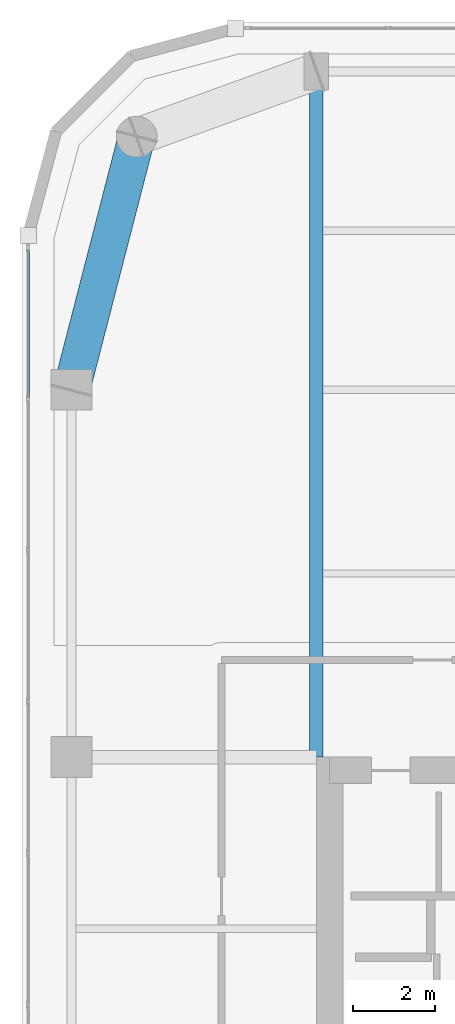
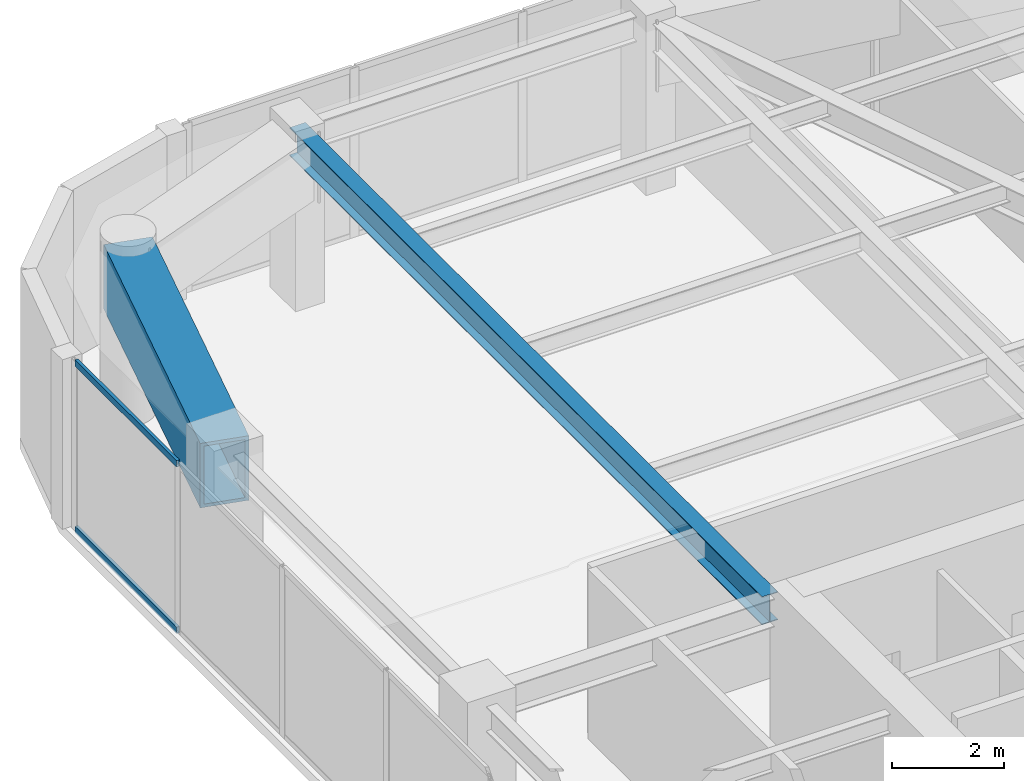
# One storey, part 7 of 21: 2 beams, 2 members, 1 element without a shape of its own.
"""IFC4 building model written with IfcOpenShell, lengths in metres."""

from ifc_helpers import new_model, si_unit, direction, frame, origin, origin_2d, place, context, subcontext, project, spatial, hollow_rectangle, i_section, extrude, material, layer, layer_set, material_profile, profile_set, type_object, element, aggregate, save


model = new_model("IFC4")

# Units and contexts
model_context = context("Model", 3, precision=1e-05, world=origin(), true_north=direction((0.0, 1.0)))
body_context = subcontext(model_context, "Body", "Model", "MODEL_VIEW")
ifc_project = project(units=[si_unit("LENGTHUNIT", "METRE"), si_unit("AREAUNIT", "SQUARE_METRE"), si_unit("VOLUMEUNIT", "CUBIC_METRE"), si_unit("PLANEANGLEUNIT", "RADIAN"), si_unit("MASSUNIT", "GRAM", prefix="KILO")], contexts=[model_context])

# Site, building, storey
site_placement = place(None, origin())
site = spatial("IfcSite", under=ifc_project, at=site_placement, CompositionType="ELEMENT")
building_placement = place(site_placement, origin())
building = spatial("IfcBuilding", under=site, at=building_placement, Name="Kiyonajd Concourse Tower", CompositionType="ELEMENT")
storey_placement = place(building_placement, frame((0.0, 0.0, 247.199951171875)))
storey = spatial("IfcBuildingStorey", under=building, at=storey_placement, Name="L62", CompositionType="ELEMENT", Elevation=247.199951171875)

# Beams
ifc_material_1 = material(Name="Steel ASTM A992 Grade 50", Category="steel")
ifc_material_profile_1 = material_profile(ifc_material_1, i_section(OverallWidth=0.323974609375, OverallDepth=0.611083984375, WebThickness=0.0126953125, FlangeThickness=0.01904296875, at=origin_2d()), Name="W610X155")
ifc_profile_set_1 = profile_set([ifc_material_profile_1], Name="Steel ASTM A992 Grade 50")
beam_type_1 = type_object("IfcBeamType", Name="BM-TWR-610B", PredefinedType="BEAM", material=ifc_profile_set_1)
beam_1_placement = place(storey_placement, frame((32.39990234375, 44.39990234375, 3.37451171875), z_axis=(0.0, 1.0, 0.0), x_axis=(-1.0, 0.0, 0.0)))
element("IfcBeam", 1, at=beam_1_placement, inside=storey, type_object=beam_type_1, Name="L62 North Lease Girder", PredefinedType="BEAM", context=body_context, shape_type="SweptSolid", body=[
    extrude(i_section(OverallWidth=0.323974609375, OverallDepth=0.611083984375, WebThickness=0.0126953125, FlangeThickness=0.01904296875, at=origin_2d()), origin(), (0.0, 0.0, 1.0), 16.800048828125),
])
ifc_material_2 = material(Name="Steel ASTM A572 Grade 50", Category="steel")
ifc_material_profile_2 = material_profile(ifc_material_2, hollow_rectangle(XDim=0.89990234375, YDim=1.39990234375, WallThickness=0.070068359375, at=origin_2d()), Name="BOX-1400x900x70")
ifc_profile_set_2 = profile_set([ifc_material_profile_2], Name="Steel ASTM A572 Grade 50")
beam_type_2 = type_object("IfcBeamType", Name="BM-XFER-1400", PredefinedType="BEAM", material=ifc_profile_set_2)
beam_2_placement = place(storey_placement, frame((28.0, 59.60009765625, 2.97998046875), z_axis=(-0.249884937687, -0.968275538221, 0.0), x_axis=(0.968275538221, -0.249884937687, 0.0)))
element("IfcBeam", 2, at=beam_2_placement, inside=storey, type_object=beam_type_2, Name="L62 Perimeter Bundled Tube Spandrel", PredefinedType="BEAM", context=body_context, shape_type="SweptSolid", body=[
    extrude(hollow_rectangle(XDim=0.89990234375, YDim=1.39990234375, WallThickness=0.070068359375, at=origin_2d()), origin(), (0.0, 0.0, 1.0), 6.4033203125),
])

# Curtain wall, members
ifc_material_3 = material(Name="Thermally Broken Anodised Aluminium", Category="aluminium")
ifc_layer = layer(ifc_material_3, 0.179931640625)
ifc_layer_set = layer_set([ifc_layer], Name="Thermally Broken Anodised Aluminium")
curtain_wall_type = type_object("IfcCurtainWallType", Name="CW-SYS-04", PredefinedType="NOTDEFINED", material=ifc_layer_set)
curtain_wall_placement = place(storey_placement, origin())
curtain_wall = element("IfcCurtainWall", 3, at=curtain_wall_placement, inside=storey, type_object=curtain_wall_type, Name="L62 Unitised Curtain Wall CW4", PredefinedType="NOTDEFINED")
ifc_material_profile_3 = material_profile(ifc_material_3, hollow_rectangle(XDim=0.06494140625, YDim=0.139892578125, WallThickness=0.00390625, at=origin_2d()), Name="TRAN-65x140")
ifc_profile_set_3 = profile_set([ifc_material_profile_3], Name="Thermally Broken Anodised Aluminium")
member_type = type_object("IfcMemberType", Name="MB-CW-TRAN1", PredefinedType="USERDEFINED", material=ifc_profile_set_3)
member_1_placement = place(storey_placement, frame((25.340087890625, 53.2138671875, 0.032470703125), z_axis=(0.0, 1.0, 0.0), x_axis=(-1.0, 0.0, 0.0)))
member_1 = element("IfcMember", 4, at=member_1_placement, type_object=member_type, Name="CW4 transom 6.1", ObjectType="TRANSOM", PredefinedType="USERDEFINED", context=body_context, shape_type="SweptSolid", body=[
    extrude(hollow_rectangle(XDim=0.06494140625, YDim=0.139892578125, WallThickness=0.00390625, at=origin_2d()), origin(), (0.0, 0.0, 1.0), 3.61279296875),
])
member_2_placement = place(storey_placement, frame((25.340087890625, 53.2138671875, 3.6474609375), z_axis=(0.0, 1.0, 0.0), x_axis=(-1.0, 0.0, 0.0)))
member_2 = element("IfcMember", 5, at=member_2_placement, type_object=member_type, Name="CW4 transom 6.2", ObjectType="TRANSOM", PredefinedType="USERDEFINED", context=body_context, shape_type="SweptSolid", body=[
    extrude(hollow_rectangle(XDim=0.06494140625, YDim=0.139892578125, WallThickness=0.00390625, at=origin_2d()), origin(), (0.0, 0.0, 1.0), 3.61279296875),
])
aggregate(curtain_wall, [member_1, member_2])

save(model, "model.ifc")
